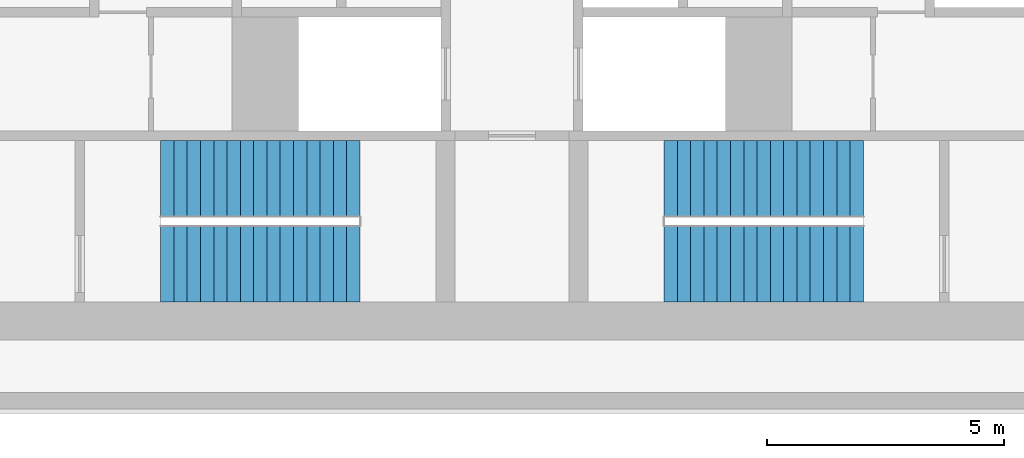
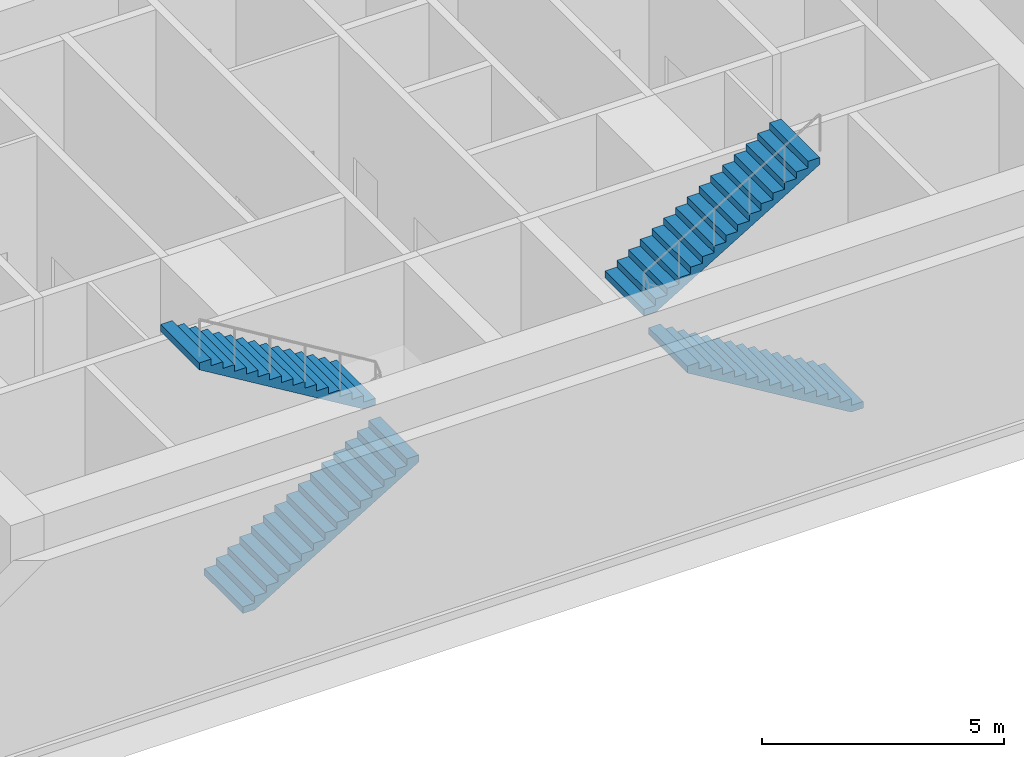
# One storey, part 14 of 15: 4 stair flights, 2 elements without a shape of their own.
"""IFC4 building model written with IfcOpenShell, lengths in metres."""

import ifcopenshell
import ifcopenshell.guid

model = None  # the IFC model being written
_history = None  # IfcOwnerHistory: only IFC2X3 demands one
_inside = {}  # id of a spatial element -> (the spatial element, [elements in it])
_under = {}  # id of a project, library or spatial element -> (it, [spatial elements below it])
_declared = {}  # id of a project -> (the project, [libraries it declares])
_typed = {}  # id of a type object -> (the type object, [elements of that type])
_made_of = {}  # id of a material, layer set ... -> (it, [elements and type objects made of it])


def new_model(schema):
    """Start an empty IFC model of exactly this schema.

    Asked for "IFC4X3", IfcOpenShell would pick the latest addendum, in which some entities
    have other attributes; the version numbers below select the first issue.
    IFC2X3 requires an IfcOwnerHistory on every rooted entity: one is made here for all.
    """
    global model, _history
    if schema == "IFC4X3":
        model = ifcopenshell.file(schema_version=(4, 3, 0, 0))
    else:
        model = ifcopenshell.file(schema=schema)
    _inside.clear()
    _under.clear()
    _declared.clear()
    _typed.clear()
    _made_of.clear()
    _history = None
    if model.schema == "IFC2X3":
        org = make("IfcOrganization", Name="unknown")
        user = make(
            "IfcPersonAndOrganization",
            ThePerson=make("IfcPerson", FamilyName="unknown"),
            TheOrganization=org,
        )
        app = make(
            "IfcApplication",
            ApplicationDeveloper=org,
            Version="unknown",
            ApplicationFullName="unknown",
            ApplicationIdentifier="unknown",
        )
        _history = make(
            "IfcOwnerHistory",
            OwningUser=user,
            OwningApplication=app,
            ChangeAction="ADDED",
            CreationDate=0,
        )
    return model


def make(cls, **values):
    """One entity of the class cls with the attributes given. An attribute that is None is left unset."""
    return model.create_entity(
        cls, **{name: value for name, value in values.items() if value is not None}
    )


def rooted(cls, **values):
    """An entity with a GlobalId (a new one), such as an element, a storey or a relation."""
    return make(cls, GlobalId=ifcopenshell.guid.new(), OwnerHistory=_history, **values)


def si_unit(unit_type, name, prefix=None):
    """IfcSIUnit, for example si_unit("LENGTHUNIT", "METRE", prefix="MILLI")."""
    return make("IfcSIUnit", UnitType=unit_type, Prefix=prefix, Name=name)


def assignment(units):
    """IfcUnitAssignment: the units of a project."""
    return None if units is None else make("IfcUnitAssignment", Units=units)


def point(xyz):
    """IfcCartesianPoint."""
    return None if xyz is None else make("IfcCartesianPoint", Coordinates=xyz)


def direction(xyz):
    """IfcDirection."""
    return None if xyz is None else make("IfcDirection", DirectionRatios=xyz)


def frame(location, z_axis=None, x_axis=None):
    """IfcAxis2Placement3D, a coordinate frame: its origin and axes. An axis left out is left unset."""
    return make(
        "IfcAxis2Placement3D",
        Location=point(location),
        Axis=direction(z_axis),
        RefDirection=direction(x_axis),
    )


def origin():
    """The frame at (0, 0, 0) with its axes left unset."""
    return frame((0.0, 0.0, 0.0))


def place(relative_to, where):
    """IfcLocalPlacement: puts the frame where relative to a parent placement (None: the world)."""
    return make(
        "IfcLocalPlacement", PlacementRelTo=relative_to, RelativePlacement=where
    )


def context(
    kind, dimensions, precision=None, world=None, true_north=None, identifier=None
):
    """IfcGeometricRepresentationContext, for example the 3D "Model" context."""
    return make(
        "IfcGeometricRepresentationContext",
        ContextIdentifier=identifier,
        ContextType=kind,
        CoordinateSpaceDimension=dimensions,
        Precision=precision,
        WorldCoordinateSystem=world,
        TrueNorth=true_north,
    )


def subcontext(parent, identifier, kind, view, scale=None):
    """IfcGeometricRepresentationSubContext, for example "Body" below "Model"."""
    return make(
        "IfcGeometricRepresentationSubContext",
        ContextIdentifier=identifier,
        ContextType=kind,
        ParentContext=parent,
        TargetScale=scale,
        TargetView=view,
    )


def project(units=None, contexts=None):
    """IfcProject with its units and contexts."""
    return rooted(
        "IfcProject",
        Name="project",
        RepresentationContexts=contexts,
        UnitsInContext=assignment(units),
    )


def spatial(cls, under=None, at=None, **own):
    """A site, building, storey or space (cls), placed at a placement, below another one or the project."""
    s = rooted(cls, ObjectPlacement=at, **own)
    if under is not None:
        _under.setdefault(under.id(), (under, []))[1].append(s)
    return s


def polyline(points):
    """IfcPolyline through the points."""
    return make("IfcPolyline", Points=[point(p) for p in points])


def outline(outer, holes=None, kind="AREA"):
    """IfcArbitraryClosedProfileDef: a profile drawn as a closed curve; with holes, ...WithVoids."""
    if holes is None:
        return make("IfcArbitraryClosedProfileDef", ProfileType=kind, OuterCurve=outer)
    return make(
        "IfcArbitraryProfileDefWithVoids",
        ProfileType=kind,
        OuterCurve=outer,
        InnerCurves=holes,
    )


def extrude(swept, where, along, depth):
    """IfcExtrudedAreaSolid: the profile swept, set in the frame where, extruded along a direction by depth."""
    return make(
        "IfcExtrudedAreaSolid",
        SweptArea=swept,
        Position=where,
        ExtrudedDirection=direction(along),
        Depth=depth,
    )


def shape(context_of_items, identifier, shape_type, items):
    """IfcShapeRepresentation: the items that make up one representation, for example the "Body"."""
    return make(
        "IfcShapeRepresentation",
        ContextOfItems=context_of_items,
        RepresentationIdentifier=identifier,
        RepresentationType=shape_type,
        Items=items,
    )


def material(Name=None, Category=None):
    """IfcMaterial."""
    return make("IfcMaterial", Name=Name, Category=Category)


def made_of(thing, what):
    """Note that an element or type object is made of a material, layer set ...; save() writes the relation."""
    if what is not None:
        _made_of.setdefault(what.id(), (what, []))[1].append(thing)
    return thing


def type_object(cls, material=None, **own):
    """A type object (cls), such as IfcWallType, which elements share."""
    return made_of(rooted(cls, **own), material)


def element(
    cls,
    number,
    at=None,
    inside=None,
    cuts=None,
    type_object=None,
    material=None,
    context=None,
    identifier="Body",
    shape_type=None,
    held_by="IfcProductDefinitionShape",
    body=None,
    shapes=None,
    **own,
):
    """One element of the class cls, such as IfcWall. Its Tag is "e" and its number.

    at: its placement. inside: the storey or other place that contains it. cuts: it is an
    opening in that element (IfcRelVoidsElement). A single representation is given by context,
    identifier, shape_type and body (its items); several are given by shapes. held_by: the class
    of the entity that holds the representations. save() writes the other relations.
    """
    e = rooted(cls, Tag="e%d" % number, ObjectPlacement=at, **own)
    if body is not None:
        shapes = [shape(context, identifier, shape_type, body)]
    if shapes is not None:
        e.Representation = make(held_by, Representations=shapes)
    if inside is not None:
        _inside.setdefault(inside.id(), (inside, []))[1].append(e)
    if cuts is not None:
        rooted(
            "IfcRelVoidsElement", RelatingBuildingElement=cuts, RelatedOpeningElement=e
        )
    if type_object is not None:
        _typed.setdefault(type_object.id(), (type_object, []))[1].append(e)
    return made_of(e, material)


def aggregate(whole, parts):
    """IfcRelAggregates: a whole, such as a stair, and the parts it consists of."""
    return rooted("IfcRelAggregates", RelatingObject=whole, RelatedObjects=parts)


def save(model, path):
    """Write the relations noted so far, then the file.

    IfcRelAggregates (storeys below a building ...), IfcRelContainedInSpatialStructure (elements
    in a storey), IfcRelDefinesByType, IfcRelAssociatesMaterial and IfcRelDeclares: one each for
    every whole, place, type object, material and project.
    """
    for whole, parts in _under.values():
        aggregate(whole, parts)
    for where, things in _inside.values():
        rooted(
            "IfcRelContainedInSpatialStructure",
            RelatedElements=things,
            RelatingStructure=where,
        )
    for kind, things in _typed.values():
        rooted("IfcRelDefinesByType", RelatedObjects=things, RelatingType=kind)
    for what, things in _made_of.values():
        rooted("IfcRelAssociatesMaterial", RelatedObjects=things, RelatingMaterial=what)
    for by, libraries in _declared.values():
        rooted("IfcRelDeclares", RelatingContext=by, RelatedDefinitions=libraries)
    model.write(path)


model = new_model("IFC4")

# Units and contexts
model_context = context("Model", 3, precision=1e-05, world=origin(), true_north=direction((0.0, 1.0)))
body_context = subcontext(model_context, "Body", "Model", "MODEL_VIEW")
ifc_project = project(units=[si_unit("LENGTHUNIT", "METRE"), si_unit("AREAUNIT", "SQUARE_METRE"), si_unit("VOLUMEUNIT", "CUBIC_METRE"), si_unit("PLANEANGLEUNIT", "RADIAN"), si_unit("MASSUNIT", "GRAM", prefix="KILO")], contexts=[model_context])

# Site, building, storey
site_placement = place(None, origin())
site = spatial("IfcSite", under=ifc_project, at=site_placement, CompositionType="ELEMENT")
building_placement = place(site_placement, origin())
building = spatial("IfcBuilding", under=site, at=building_placement, Name="Fogline Exchange Tower", CompositionType="ELEMENT")
storey_placement = place(building_placement, frame((0.0, 0.0, 344.699951171875)))
storey = spatial("IfcBuildingStorey", under=building, at=storey_placement, Name="L78", CompositionType="ELEMENT", Elevation=344.699951171875)

# Stair, stair flights
ifc_material = material(Name="Concrete C40", Category="concrete")
stair_type = type_object("IfcStairType", Name="STR32-1688", PredefinedType="HALF_TURN_STAIR", material=ifc_material)
stair_1_placement = place(storey_placement, origin())
stair_1 = element("IfcStair", 1, at=stair_1_placement, inside=storey, type_object=stair_type, Name="Stair CS1", PredefinedType="HALF_TURN_STAIR")
stair_flight_type = type_object("IfcStairFlightType", Name="SF16-1688", PredefinedType="STRAIGHT", material=ifc_material)
stair_flight_1_placement = place(storey_placement, frame((-7.39990234375, 3.050048828125, 0.0), z_axis=(0.0, 0.0, 1.0), x_axis=(1.0, 0.0, 0.0)))
stair_flight_1 = element("IfcStairFlight", 2, at=stair_flight_1_placement, type_object=stair_flight_type, Name="CS1 flight 1", NumberOfRisers=16, NumberOfTreads=15, PredefinedType="STRAIGHT", RiserHeight=0.16875, TreadLength=0.28, context=body_context, shape_type="SweptSolid", body=[
    extrude(outline(polyline([(0.0, 0.0), (0.0, 0.168701171875), (0.280029296875, 0.168701171875), (0.280029296875, 0.33740234375), (0.56005859375, 0.33740234375), (0.56005859375, 0.50634765625), (0.840087890625, 0.50634765625), (0.840087890625, 0.675048828125), (1.1201171875, 0.675048828125), (1.1201171875, 0.84375), (1.39990234375, 0.84375), (1.39990234375, 1.012451171875), (1.679931640625, 1.012451171875), (1.679931640625, 1.18115234375), (1.9599609375, 1.18115234375), (1.9599609375, 1.35009765625), (2.239990234375, 1.35009765625), (2.239990234375, 1.518798828125), (2.52001953125, 1.518798828125), (2.52001953125, 1.6875), (2.800048828125, 1.6875), (2.800048828125, 1.856201171875), (3.080078125, 1.856201171875), (3.080078125, 2.02490234375), (3.360107421875, 2.02490234375), (3.360107421875, 2.19384765625), (3.639892578125, 2.19384765625), (3.639892578125, 2.362548828125), (3.919921875, 2.362548828125), (3.919921875, 2.53125), (4.199951171875, 2.53125), (4.199951171875, 2.699951171875), (4.199951171875, 2.356201171875), (0.29052734375, 0.0), (0.0, 0.0)])), frame((0.0, 0.800048828125, 0.0), z_axis=(0.0, -1.0, 0.0), x_axis=(1.0, 0.0, 0.0)), (0.0, 0.0, 1.0), 1.60009765625),
])
stair_flight_2_placement = place(storey_placement, frame((-3.199951171875, 4.85009765625, 2.699951171875), z_axis=(0.0, 0.0, 1.0), x_axis=(-1.0, 0.0, 0.0)))
stair_flight_2 = element("IfcStairFlight", 3, at=stair_flight_2_placement, type_object=stair_flight_type, Name="CS1 flight 2", NumberOfRisers=16, NumberOfTreads=15, PredefinedType="STRAIGHT", RiserHeight=0.16875, TreadLength=0.28, context=body_context, shape_type="SweptSolid", body=[
    extrude(outline(polyline([(0.0, 0.0), (0.0, 0.168701171875), (0.280029296875, 0.168701171875), (0.280029296875, 0.33740234375), (0.56005859375, 0.33740234375), (0.56005859375, 0.50634765625), (0.840087890625, 0.50634765625), (0.840087890625, 0.675048828125), (1.1201171875, 0.675048828125), (1.1201171875, 0.84375), (1.39990234375, 0.84375), (1.39990234375, 1.012451171875), (1.679931640625, 1.012451171875), (1.679931640625, 1.18115234375), (1.9599609375, 1.18115234375), (1.9599609375, 1.35009765625), (2.239990234375, 1.35009765625), (2.239990234375, 1.518798828125), (2.52001953125, 1.518798828125), (2.52001953125, 1.6875), (2.800048828125, 1.6875), (2.800048828125, 1.856201171875), (3.080078125, 1.856201171875), (3.080078125, 2.02490234375), (3.360107421875, 2.02490234375), (3.360107421875, 2.19384765625), (3.639892578125, 2.19384765625), (3.639892578125, 2.362548828125), (3.919921875, 2.362548828125), (3.919921875, 2.53125), (4.199951171875, 2.53125), (4.199951171875, 2.699951171875), (4.199951171875, 2.356201171875), (0.29052734375, 0.0), (0.0, 0.0)])), frame((0.0, 0.800048828125, 0.0), z_axis=(0.0, -1.0, 0.0), x_axis=(1.0, 0.0, 0.0)), (0.0, 0.0, 1.0), 1.60009765625),
])
aggregate(stair_1, [stair_flight_1, stair_flight_2])

stair_2_placement = place(storey_placement, origin())
stair_2 = element("IfcStair", 4, at=stair_2_placement, inside=storey, type_object=stair_type, Name="Stair CS2", PredefinedType="HALF_TURN_STAIR")
stair_flight_3_placement = place(storey_placement, frame((7.39990234375, 3.050048828125, 0.0), z_axis=(0.0, 0.0, 1.0), x_axis=(-1.0, 0.0, 0.0)))
stair_flight_3 = element("IfcStairFlight", 5, at=stair_flight_3_placement, type_object=stair_flight_type, Name="CS2 flight 1", NumberOfRisers=16, NumberOfTreads=15, PredefinedType="STRAIGHT", RiserHeight=0.16875, TreadLength=0.28, context=body_context, shape_type="SweptSolid", body=[
    extrude(outline(polyline([(0.0, 0.0), (0.0, 0.168701171875), (0.280029296875, 0.168701171875), (0.280029296875, 0.33740234375), (0.56005859375, 0.33740234375), (0.56005859375, 0.50634765625), (0.840087890625, 0.50634765625), (0.840087890625, 0.675048828125), (1.1201171875, 0.675048828125), (1.1201171875, 0.84375), (1.39990234375, 0.84375), (1.39990234375, 1.012451171875), (1.679931640625, 1.012451171875), (1.679931640625, 1.18115234375), (1.9599609375, 1.18115234375), (1.9599609375, 1.35009765625), (2.239990234375, 1.35009765625), (2.239990234375, 1.518798828125), (2.52001953125, 1.518798828125), (2.52001953125, 1.6875), (2.800048828125, 1.6875), (2.800048828125, 1.856201171875), (3.080078125, 1.856201171875), (3.080078125, 2.02490234375), (3.360107421875, 2.02490234375), (3.360107421875, 2.19384765625), (3.639892578125, 2.19384765625), (3.639892578125, 2.362548828125), (3.919921875, 2.362548828125), (3.919921875, 2.53125), (4.199951171875, 2.53125), (4.199951171875, 2.699951171875), (4.199951171875, 2.356201171875), (0.29052734375, 0.0), (0.0, 0.0)])), frame((0.0, 0.800048828125, 0.0), z_axis=(0.0, -1.0, 0.0), x_axis=(1.0, 0.0, 0.0)), (0.0, 0.0, 1.0), 1.60009765625),
])
stair_flight_4_placement = place(storey_placement, frame((3.199951171875, 4.85009765625, 2.699951171875), z_axis=(0.0, 0.0, 1.0), x_axis=(1.0, 0.0, 0.0)))
stair_flight_4 = element("IfcStairFlight", 6, at=stair_flight_4_placement, type_object=stair_flight_type, Name="CS2 flight 2", NumberOfRisers=16, NumberOfTreads=15, PredefinedType="STRAIGHT", RiserHeight=0.16875, TreadLength=0.28, context=body_context, shape_type="SweptSolid", body=[
    extrude(outline(polyline([(0.0, 0.0), (0.0, 0.168701171875), (0.280029296875, 0.168701171875), (0.280029296875, 0.33740234375), (0.56005859375, 0.33740234375), (0.56005859375, 0.50634765625), (0.840087890625, 0.50634765625), (0.840087890625, 0.675048828125), (1.1201171875, 0.675048828125), (1.1201171875, 0.84375), (1.39990234375, 0.84375), (1.39990234375, 1.012451171875), (1.679931640625, 1.012451171875), (1.679931640625, 1.18115234375), (1.9599609375, 1.18115234375), (1.9599609375, 1.35009765625), (2.239990234375, 1.35009765625), (2.239990234375, 1.518798828125), (2.52001953125, 1.518798828125), (2.52001953125, 1.6875), (2.800048828125, 1.6875), (2.800048828125, 1.856201171875), (3.080078125, 1.856201171875), (3.080078125, 2.02490234375), (3.360107421875, 2.02490234375), (3.360107421875, 2.19384765625), (3.639892578125, 2.19384765625), (3.639892578125, 2.362548828125), (3.919921875, 2.362548828125), (3.919921875, 2.53125), (4.199951171875, 2.53125), (4.199951171875, 2.699951171875), (4.199951171875, 2.356201171875), (0.29052734375, 0.0), (0.0, 0.0)])), frame((0.0, 0.800048828125, 0.0), z_axis=(0.0, -1.0, 0.0), x_axis=(1.0, 0.0, 0.0)), (0.0, 0.0, 1.0), 1.60009765625),
])
aggregate(stair_2, [stair_flight_3, stair_flight_4])

save(model, "model.ifc")
